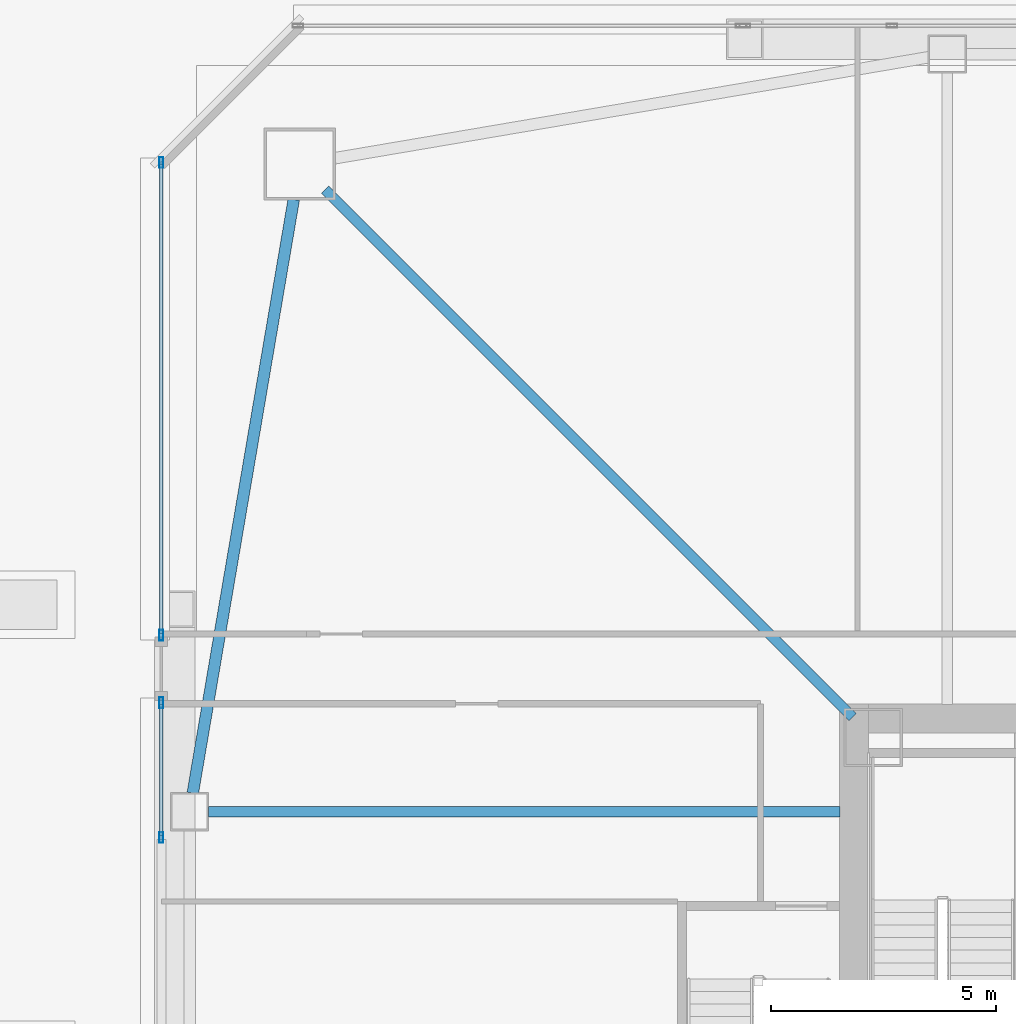
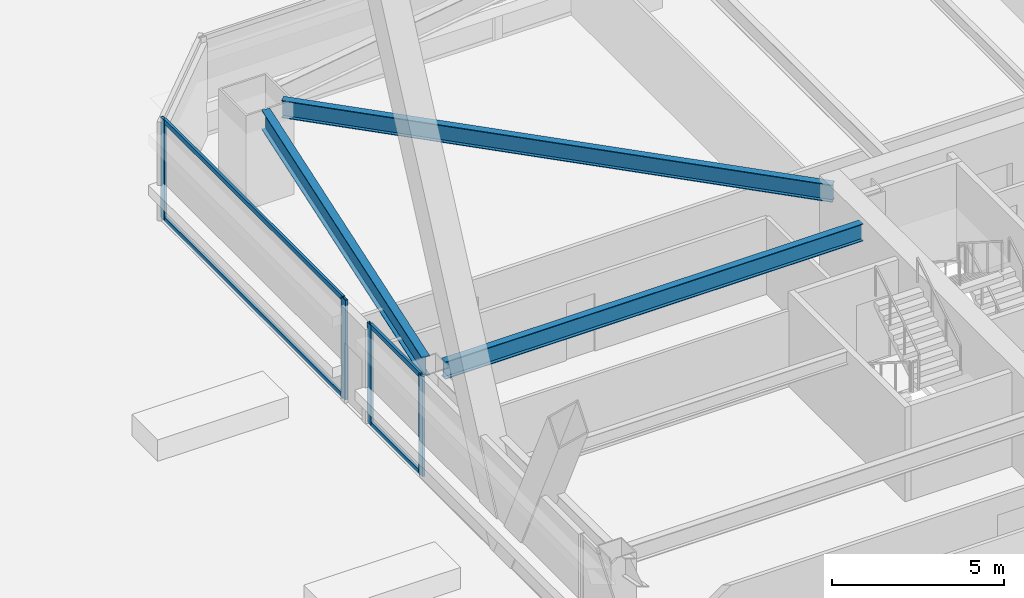
# One storey, part 15 of 83: 8 members, 3 beams, 2 elements without a shape of their own.
"""IFC4 building model written with IfcOpenShell, lengths in metres."""

from ifc_helpers import new_model, si_unit, direction, frame, origin, origin_2d, place, context, subcontext, project, spatial, hollow_rectangle, i_section, extrude, material, material_profile, profile_set, type_object, element, aggregate, save


model = new_model("IFC4")

# Units and contexts
model_context = context("Model", 3, precision=1e-05, world=origin(), true_north=direction((0.0, 1.0)))
body_context = subcontext(model_context, "Body", "Model", "MODEL_VIEW")
ifc_project = project(units=[si_unit("LENGTHUNIT", "METRE"), si_unit("AREAUNIT", "SQUARE_METRE"), si_unit("VOLUMEUNIT", "CUBIC_METRE"), si_unit("PLANEANGLEUNIT", "RADIAN"), si_unit("MASSUNIT", "GRAM", prefix="KILO")], contexts=[model_context])

# Site, building, storey
site_placement = place(None, origin())
site = spatial("IfcSite", under=ifc_project, at=site_placement, CompositionType="ELEMENT")
building_placement = place(site_placement, origin())
building = spatial("IfcBuilding", under=site, at=building_placement, Name="Tashvorn Skyway Center", CompositionType="ELEMENT")
storey_placement = place(building_placement, frame((0.0, 0.0, 24.60009765625)))
storey = spatial("IfcBuildingStorey", under=building, at=storey_placement, Name="L05", CompositionType="ELEMENT", Elevation=24.60009765625)

# Beams
ifc_material_1 = material(Name="Steel ASTM A992 Grade 50", Category="steel")
ifc_material_profile_1 = material_profile(ifc_material_1, i_section(OverallWidth=0.22998046875, OverallDepth=0.616943359375, WebThickness=0.01318359375, FlangeThickness=0.022216796875, at=origin_2d()), Name="W24X94")
ifc_profile_set_1 = profile_set([ifc_material_profile_1], Name="Steel ASTM A992 Grade 50")
beam_type_1 = type_object("IfcBeamType", Name="BM-BEAM-W24X94", PredefinedType="BEAM", material=ifc_profile_set_1)
beam_1_placement = place(storey_placement, frame((22.76220703125, 51.23779296875, 3.04150390625), z_axis=(0.707106781187, -0.707106781187, 0.0), x_axis=(0.707106781187, 0.707106781187, 0.0)))
element("IfcBeam", 1, at=beam_1_placement, inside=storey, type_object=beam_type_1, Name="Tower 1 L05 Primary Floor Girder MC-NW", PredefinedType="BEAM", context=body_context, shape_type="SweptSolid", body=[
    extrude(i_section(OverallWidth=0.22998046875, OverallDepth=0.616943359375, WebThickness=0.01318359375, FlangeThickness=0.022216796875, at=origin_2d()), origin(), (0.0, 0.0, 1.0), 16.591064453125),
])
beam_2_placement = place(storey_placement, frame((20.169921875, 37.39990234375, 3.04150390625), z_axis=(1.0, 0.0, 0.0), x_axis=(0.0, 1.0, 0.0)))
element("IfcBeam", 2, at=beam_2_placement, inside=storey, type_object=beam_type_1, Name="Tower 1 L05 Primary Floor Girder FC-W1", PredefinedType="BEAM", context=body_context, shape_type="SweptSolid", body=[
    extrude(i_section(OverallWidth=0.22998046875, OverallDepth=0.616943359375, WebThickness=0.01318359375, FlangeThickness=0.022216796875, at=origin_2d()), origin(), (0.0, 0.0, 1.0), 14.050048828125),
])
ifc_material_profile_2 = material_profile(ifc_material_1, i_section(OverallWidth=0.256103515625, OverallDepth=0.693115234375, WebThickness=0.014404296875, FlangeThickness=0.023681640625, at=origin_2d()), Name="W27X114")
ifc_profile_set_2 = profile_set([ifc_material_profile_2], Name="Steel ASTM A992 Grade 50")
beam_type_2 = type_object("IfcBeamType", Name="BM-SPANDREL-W27X114", PredefinedType="SPANDREL", material=ifc_profile_set_2)
beam_3_placement = place(storey_placement, frame((22.066650390625, 51.016357421875, 3.00341796875), z_axis=(-0.16771792509, -0.985835025551, 0.0), x_axis=(0.985835025551, -0.16771792509, 0.0)))
element("IfcBeam", 3, at=beam_3_placement, inside=storey, type_object=beam_type_2, Name="Tower 1 L05 Spandrel Beam 10", PredefinedType="SPANDREL", context=body_context, shape_type="SweptSolid", body=[
    extrude(i_section(OverallWidth=0.256103515625, OverallDepth=0.693115234375, WebThickness=0.014404296875, FlangeThickness=0.023681640625, at=origin_2d()), origin(), (0.0, 0.0, 1.0), 13.39208984375),
])

# Curtain wall, members
ifc_material_2 = material(Name="Thermally broken bronze-anodized aluminium 6063-T6", Category="aluminium")
curtain_wall_type = type_object("IfcCurtainWallType", Name="CW-CW-Z1", PredefinedType="NOTDEFINED", material=ifc_material_2)
curtain_wall_1_placement = place(storey_placement, origin())
curtain_wall_1 = element("IfcCurtainWall", 4, at=curtain_wall_1_placement, inside=storey, type_object=curtain_wall_type, Name="Tower 1 L05 West Unitised Curtain Wall L Glazing Group 3", PredefinedType="NOTDEFINED")
ifc_material_profile_3 = material_profile(ifc_material_2, hollow_rectangle(XDim=0.0849609375, YDim=0.239990234375, WallThickness=0.0048828125, at=origin_2d()), Name="ALU-MULL-85x240")
ifc_profile_set_3 = profile_set([ifc_material_profile_3], Name="Thermally broken bronze-anodized aluminium 6063-T6")
member_type_1 = type_object("IfcMemberType", Name="CWM-CW-Z1", PredefinedType="MULLION", material=ifc_profile_set_3)
member_1_placement = place(storey_placement, frame((19.1201171875, 36.826904296875, 0.0), z_axis=(0.0, 0.0, 1.0), x_axis=(-1.0, 0.0, 0.0)))
member_1 = element("IfcMember", 5, at=member_1_placement, type_object=member_type_1, Name="CW-Z1 mullion 1", PredefinedType="MULLION", context=body_context, shape_type="SweptSolid", body=[
    extrude(hollow_rectangle(XDim=0.0849609375, YDim=0.239990234375, WallThickness=0.0048828125, at=origin_2d()), origin(), (0.0, 0.0, 1.0), 3.5498046875),
])
member_2_placement = place(storey_placement, frame((19.1201171875, 39.824951171875, 0.0), z_axis=(0.0, 0.0, 1.0), x_axis=(-1.0, 0.0, 0.0)))
member_2 = element("IfcMember", 6, at=member_2_placement, type_object=member_type_1, Name="CW-Z1 mullion 2", PredefinedType="MULLION", context=body_context, shape_type="SweptSolid", body=[
    extrude(hollow_rectangle(XDim=0.0849609375, YDim=0.239990234375, WallThickness=0.0048828125, at=origin_2d()), origin(), (0.0, 0.0, 1.0), 3.5498046875),
])

curtain_wall_2_placement = place(storey_placement, origin())
curtain_wall_2 = element("IfcCurtainWall", 7, at=curtain_wall_2_placement, inside=storey, type_object=curtain_wall_type, Name="Tower 1 L05 West Unitised Curtain Wall R", PredefinedType="NOTDEFINED")
member_3_placement = place(storey_placement, frame((19.1201171875, 41.324951171875, 0.0), z_axis=(0.0, 0.0, 1.0), x_axis=(-1.0, 0.0, 0.0)))
member_3 = element("IfcMember", 8, at=member_3_placement, type_object=member_type_1, Name="CW-Z1 mullion 1", PredefinedType="MULLION", context=body_context, shape_type="SweptSolid", body=[
    extrude(hollow_rectangle(XDim=0.0849609375, YDim=0.239990234375, WallThickness=0.0048828125, at=origin_2d()), origin(), (0.0, 0.0, 1.0), 3.5498046875),
])
member_4_placement = place(storey_placement, frame((19.1201171875, 51.83740234375, 0.0), z_axis=(0.0, 0.0, 1.0), x_axis=(-1.0, 0.0, 0.0)))
member_4 = element("IfcMember", 9, at=member_4_placement, type_object=member_type_1, Name="CW-Z1 mullion 2", PredefinedType="MULLION", context=body_context, shape_type="SweptSolid", body=[
    extrude(hollow_rectangle(XDim=0.0849609375, YDim=0.239990234375, WallThickness=0.0048828125, at=origin_2d()), origin(), (0.0, 0.0, 1.0), 3.5498046875),
])

# Member
ifc_material_profile_4 = material_profile(ifc_material_2, hollow_rectangle(XDim=0.0849609375, YDim=0.1650390625, WallThickness=0.0048828125, at=origin_2d()), Name="ALU-TRAN-85x165")
ifc_profile_set_4 = profile_set([ifc_material_profile_4], Name="Thermally broken bronze-anodized aluminium 6063-T6")
member_type_2 = type_object("IfcMemberType", Name="CWT-CW-Z1", PredefinedType="USERDEFINED", material=ifc_profile_set_4)
member_5_placement = place(storey_placement, frame((19.1201171875, 36.869384765625, 0.04248046875), z_axis=(0.0, 1.0, 0.0), x_axis=(-1.0, 0.0, 0.0)))
member_5 = element("IfcMember", 10, at=member_5_placement, type_object=member_type_2, Name="CW-Z1 transom 1.1", ObjectType="TRANSOM", PredefinedType="USERDEFINED", context=body_context, shape_type="SweptSolid", body=[
    extrude(hollow_rectangle(XDim=0.0849609375, YDim=0.1650390625, WallThickness=0.0048828125, at=origin_2d()), origin(), (0.0, 0.0, 1.0), 2.9130859375),
])

member_6_placement = place(storey_placement, frame((19.1201171875, 36.869384765625, 3.50732421875), z_axis=(0.0, 1.0, 0.0), x_axis=(-1.0, 0.0, 0.0)))
member_6 = element("IfcMember", 11, at=member_6_placement, type_object=member_type_2, Name="CW-Z1 transom 1.2", ObjectType="TRANSOM", PredefinedType="USERDEFINED", context=body_context, shape_type="SweptSolid", body=[
    extrude(hollow_rectangle(XDim=0.0849609375, YDim=0.1650390625, WallThickness=0.0048828125, at=origin_2d()), origin(), (0.0, 0.0, 1.0), 2.9130859375),
])

aggregate(curtain_wall_1, [member_1, member_2, member_5, member_6])

member_7_placement = place(storey_placement, frame((19.1201171875, 41.367431640625, 0.04248046875), z_axis=(0.0, 1.0, 0.0), x_axis=(-1.0, 0.0, 0.0)))
member_7 = element("IfcMember", 12, at=member_7_placement, type_object=member_type_2, Name="CW-Z1 transom 1.1", ObjectType="TRANSOM", PredefinedType="USERDEFINED", context=body_context, shape_type="SweptSolid", body=[
    extrude(hollow_rectangle(XDim=0.0849609375, YDim=0.1650390625, WallThickness=0.0048828125, at=origin_2d()), origin(), (0.0, 0.0, 1.0), 10.427490234375),
])

member_8_placement = place(storey_placement, frame((19.1201171875, 41.367431640625, 3.50732421875), z_axis=(0.0, 1.0, 0.0), x_axis=(-1.0, 0.0, 0.0)))
member_8 = element("IfcMember", 13, at=member_8_placement, type_object=member_type_2, Name="CW-Z1 transom 1.2", ObjectType="TRANSOM", PredefinedType="USERDEFINED", context=body_context, shape_type="SweptSolid", body=[
    extrude(hollow_rectangle(XDim=0.0849609375, YDim=0.1650390625, WallThickness=0.0048828125, at=origin_2d()), origin(), (0.0, 0.0, 1.0), 10.427490234375),
])

aggregate(curtain_wall_2, [member_3, member_4, member_7, member_8])

save(model, "model.ifc")
